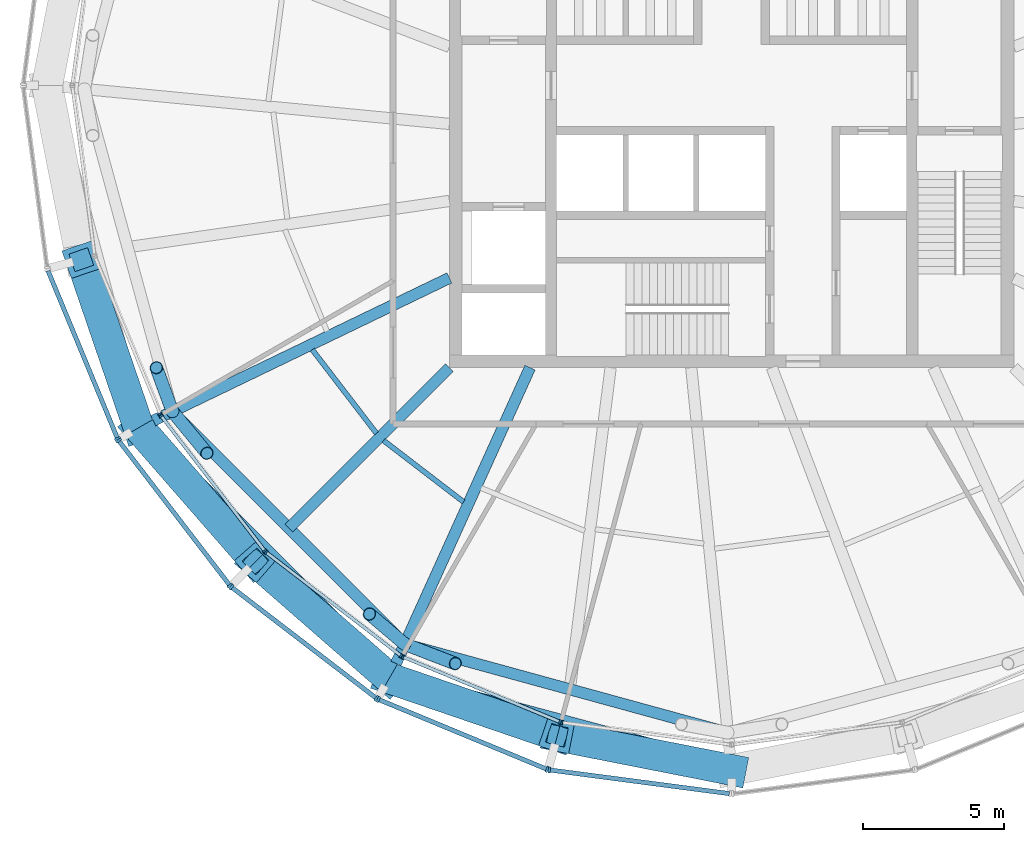
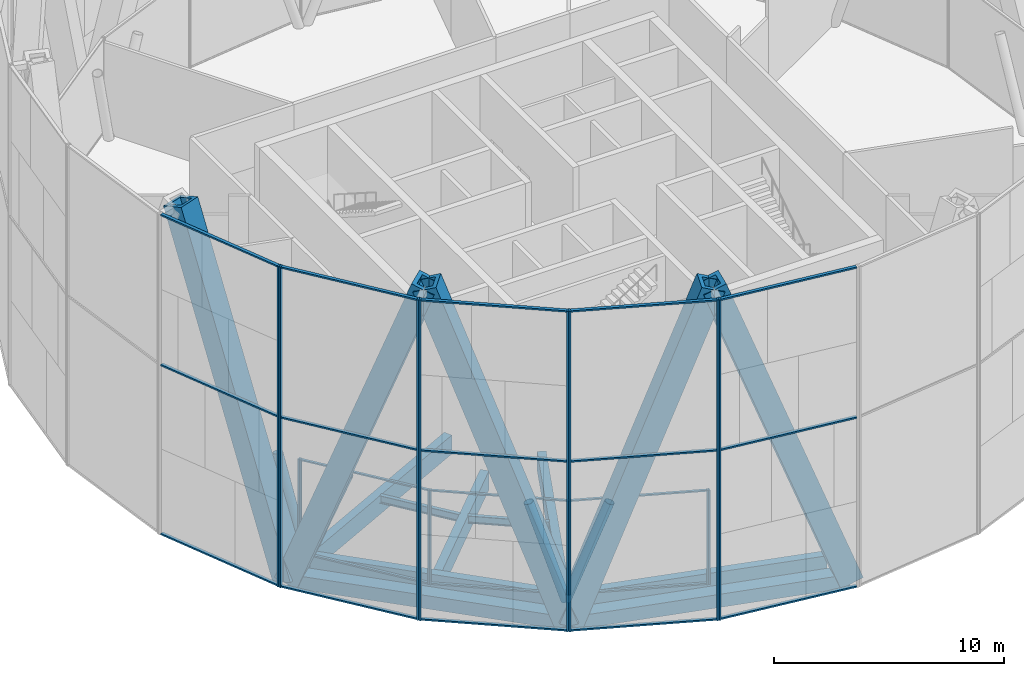
# One storey, part 1 of 15: 46 members, 9 beams, 10 elements without a shape of their own.
"""IFC4 building model written with IfcOpenShell, lengths in metres."""

import ifcopenshell
import ifcopenshell.guid

model = None  # the IFC model being written
_history = None  # IfcOwnerHistory: only IFC2X3 demands one
_inside = {}  # id of a spatial element -> (the spatial element, [elements in it])
_under = {}  # id of a project, library or spatial element -> (it, [spatial elements below it])
_declared = {}  # id of a project -> (the project, [libraries it declares])
_typed = {}  # id of a type object -> (the type object, [elements of that type])
_made_of = {}  # id of a material, layer set ... -> (it, [elements and type objects made of it])


def new_model(schema):
    """Start an empty IFC model of exactly this schema.

    Asked for "IFC4X3", IfcOpenShell would pick the latest addendum, in which some entities
    have other attributes; the version numbers below select the first issue.
    IFC2X3 requires an IfcOwnerHistory on every rooted entity: one is made here for all.
    """
    global model, _history
    if schema == "IFC4X3":
        model = ifcopenshell.file(schema_version=(4, 3, 0, 0))
    else:
        model = ifcopenshell.file(schema=schema)
    _inside.clear()
    _under.clear()
    _declared.clear()
    _typed.clear()
    _made_of.clear()
    _history = None
    if model.schema == "IFC2X3":
        org = make("IfcOrganization", Name="unknown")
        user = make(
            "IfcPersonAndOrganization",
            ThePerson=make("IfcPerson", FamilyName="unknown"),
            TheOrganization=org,
        )
        app = make(
            "IfcApplication",
            ApplicationDeveloper=org,
            Version="unknown",
            ApplicationFullName="unknown",
            ApplicationIdentifier="unknown",
        )
        _history = make(
            "IfcOwnerHistory",
            OwningUser=user,
            OwningApplication=app,
            ChangeAction="ADDED",
            CreationDate=0,
        )
    return model


def make(cls, **values):
    """One entity of the class cls with the attributes given. An attribute that is None is left unset."""
    return model.create_entity(
        cls, **{name: value for name, value in values.items() if value is not None}
    )


def rooted(cls, **values):
    """An entity with a GlobalId (a new one), such as an element, a storey or a relation."""
    return make(cls, GlobalId=ifcopenshell.guid.new(), OwnerHistory=_history, **values)


def si_unit(unit_type, name, prefix=None):
    """IfcSIUnit, for example si_unit("LENGTHUNIT", "METRE", prefix="MILLI")."""
    return make("IfcSIUnit", UnitType=unit_type, Prefix=prefix, Name=name)


def assignment(units):
    """IfcUnitAssignment: the units of a project."""
    return None if units is None else make("IfcUnitAssignment", Units=units)


def point(xyz):
    """IfcCartesianPoint."""
    return None if xyz is None else make("IfcCartesianPoint", Coordinates=xyz)


def direction(xyz):
    """IfcDirection."""
    return None if xyz is None else make("IfcDirection", DirectionRatios=xyz)


def frame(location, z_axis=None, x_axis=None):
    """IfcAxis2Placement3D, a coordinate frame: its origin and axes. An axis left out is left unset."""
    return make(
        "IfcAxis2Placement3D",
        Location=point(location),
        Axis=direction(z_axis),
        RefDirection=direction(x_axis),
    )


def frame_2d(location, x_axis=None):
    """IfcAxis2Placement2D, a coordinate frame in the plane: its origin and x axis."""
    return make(
        "IfcAxis2Placement2D", Location=point(location), RefDirection=direction(x_axis)
    )


def origin():
    """The frame at (0, 0, 0) with its axes left unset."""
    return frame((0.0, 0.0, 0.0))


def origin_2d():
    """The frame at (0, 0) in the plane with its x axis left unset."""
    return frame_2d((0.0, 0.0))


def place(relative_to, where):
    """IfcLocalPlacement: puts the frame where relative to a parent placement (None: the world)."""
    return make(
        "IfcLocalPlacement", PlacementRelTo=relative_to, RelativePlacement=where
    )


def context(
    kind, dimensions, precision=None, world=None, true_north=None, identifier=None
):
    """IfcGeometricRepresentationContext, for example the 3D "Model" context."""
    return make(
        "IfcGeometricRepresentationContext",
        ContextIdentifier=identifier,
        ContextType=kind,
        CoordinateSpaceDimension=dimensions,
        Precision=precision,
        WorldCoordinateSystem=world,
        TrueNorth=true_north,
    )


def subcontext(parent, identifier, kind, view, scale=None):
    """IfcGeometricRepresentationSubContext, for example "Body" below "Model"."""
    return make(
        "IfcGeometricRepresentationSubContext",
        ContextIdentifier=identifier,
        ContextType=kind,
        ParentContext=parent,
        TargetScale=scale,
        TargetView=view,
    )


def project(units=None, contexts=None):
    """IfcProject with its units and contexts."""
    return rooted(
        "IfcProject",
        Name="project",
        RepresentationContexts=contexts,
        UnitsInContext=assignment(units),
    )


def spatial(cls, under=None, at=None, **own):
    """A site, building, storey or space (cls), placed at a placement, below another one or the project."""
    s = rooted(cls, ObjectPlacement=at, **own)
    if under is not None:
        _under.setdefault(under.id(), (under, []))[1].append(s)
    return s


def profile(cls, at=None, kind="AREA", **sizes):
    """A parametric profile (cls). Its sizes go by their IFC names, for example OverallWidth=200.0."""
    return make(cls, ProfileType=kind, Position=at, **sizes)


def rectangle(**sizes):
    """IfcRectangleProfileDef."""
    return profile("IfcRectangleProfileDef", **sizes)


def hollow_rectangle(**sizes):
    """IfcRectangleHollowProfileDef."""
    return profile("IfcRectangleHollowProfileDef", **sizes)


def hollow_circle(**sizes):
    """IfcCircleHollowProfileDef."""
    return profile("IfcCircleHollowProfileDef", **sizes)


def i_section(**sizes):
    """IfcIShapeProfileDef."""
    return profile("IfcIShapeProfileDef", **sizes)


def extrude(swept, where, along, depth):
    """IfcExtrudedAreaSolid: the profile swept, set in the frame where, extruded along a direction by depth."""
    return make(
        "IfcExtrudedAreaSolid",
        SweptArea=swept,
        Position=where,
        ExtrudedDirection=direction(along),
        Depth=depth,
    )


def shape(context_of_items, identifier, shape_type, items):
    """IfcShapeRepresentation: the items that make up one representation, for example the "Body"."""
    return make(
        "IfcShapeRepresentation",
        ContextOfItems=context_of_items,
        RepresentationIdentifier=identifier,
        RepresentationType=shape_type,
        Items=items,
    )


def material(Name=None, Category=None):
    """IfcMaterial."""
    return make("IfcMaterial", Name=Name, Category=Category)


def material_profile(
    of_material, cross_section, Name=None, Category=None, Priority=None
):
    """IfcMaterialProfile: a cross section and its material."""
    return make(
        "IfcMaterialProfile",
        Name=Name,
        Material=of_material,
        Profile=cross_section,
        Priority=Priority,
        Category=Category,
    )


def profile_set(profiles, Name=None, composite=None):
    """IfcMaterialProfileSet."""
    return make(
        "IfcMaterialProfileSet",
        Name=Name,
        MaterialProfiles=profiles,
        CompositeProfile=composite,
    )


def made_of(thing, what):
    """Note that an element or type object is made of a material, layer set ...; save() writes the relation."""
    if what is not None:
        _made_of.setdefault(what.id(), (what, []))[1].append(thing)
    return thing


def type_object(cls, material=None, **own):
    """A type object (cls), such as IfcWallType, which elements share."""
    return made_of(rooted(cls, **own), material)


def element(
    cls,
    number,
    at=None,
    inside=None,
    cuts=None,
    type_object=None,
    material=None,
    context=None,
    identifier="Body",
    shape_type=None,
    held_by="IfcProductDefinitionShape",
    body=None,
    shapes=None,
    **own,
):
    """One element of the class cls, such as IfcWall. Its Tag is "e" and its number.

    at: its placement. inside: the storey or other place that contains it. cuts: it is an
    opening in that element (IfcRelVoidsElement). A single representation is given by context,
    identifier, shape_type and body (its items); several are given by shapes. held_by: the class
    of the entity that holds the representations. save() writes the other relations.
    """
    e = rooted(cls, Tag="e%d" % number, ObjectPlacement=at, **own)
    if body is not None:
        shapes = [shape(context, identifier, shape_type, body)]
    if shapes is not None:
        e.Representation = make(held_by, Representations=shapes)
    if inside is not None:
        _inside.setdefault(inside.id(), (inside, []))[1].append(e)
    if cuts is not None:
        rooted(
            "IfcRelVoidsElement", RelatingBuildingElement=cuts, RelatedOpeningElement=e
        )
    if type_object is not None:
        _typed.setdefault(type_object.id(), (type_object, []))[1].append(e)
    return made_of(e, material)


def aggregate(whole, parts):
    """IfcRelAggregates: a whole, such as a stair, and the parts it consists of."""
    return rooted("IfcRelAggregates", RelatingObject=whole, RelatedObjects=parts)


def save(model, path):
    """Write the relations noted so far, then the file.

    IfcRelAggregates (storeys below a building ...), IfcRelContainedInSpatialStructure (elements
    in a storey), IfcRelDefinesByType, IfcRelAssociatesMaterial and IfcRelDeclares: one each for
    every whole, place, type object, material and project.
    """
    for whole, parts in _under.values():
        aggregate(whole, parts)
    for where, things in _inside.values():
        rooted(
            "IfcRelContainedInSpatialStructure",
            RelatedElements=things,
            RelatingStructure=where,
        )
    for kind, things in _typed.values():
        rooted("IfcRelDefinesByType", RelatedObjects=things, RelatingType=kind)
    for what, things in _made_of.values():
        rooted("IfcRelAssociatesMaterial", RelatedObjects=things, RelatingMaterial=what)
    for by, libraries in _declared.values():
        rooted("IfcRelDeclares", RelatingContext=by, RelatedDefinitions=libraries)
    model.write(path)


model = new_model("IFC4")

# Units and contexts
model_context = context("Model", 3, precision=1e-05, world=origin(), true_north=direction((0.0, 1.0)))
body_context = subcontext(model_context, "Body", "Model", "MODEL_VIEW")
ifc_project = project(units=[si_unit("LENGTHUNIT", "METRE"), si_unit("AREAUNIT", "SQUARE_METRE"), si_unit("VOLUMEUNIT", "CUBIC_METRE"), si_unit("PLANEANGLEUNIT", "RADIAN"), si_unit("MASSUNIT", "GRAM", prefix="KILO")], contexts=[model_context])

# Site, building, storey
site_placement = place(None, origin())
site = spatial("IfcSite", under=ifc_project, at=site_placement, CompositionType="ELEMENT")
building_placement = place(site_placement, origin())
building = spatial("IfcBuilding", under=site, at=building_placement, Name="Golbaran Civic Tower", CompositionType="ELEMENT")
storey_placement = place(building_placement, frame((0.0, 0.0, 215.0)))
storey = spatial("IfcBuildingStorey", under=building, at=storey_placement, Name="L52", CompositionType="ELEMENT", Elevation=215.0)

# Members
ifc_material_1 = material(Name="Steel S355", Category="steel")
ifc_material_profile_1 = material_profile(ifc_material_1, hollow_circle(Radius=0.228515625, WallThickness=0.02001953125, at=origin_2d()), Name="CHS 457.0x20")
ifc_profile_set_1 = profile_set([ifc_material_profile_1], Name="Steel S355")
member_type_1 = type_object("IfcMemberType", Name="BELT TRUSS DIAGONAL CHS 457.0x20", PredefinedType="BRACE", material=ifc_profile_set_1)
member_1_placement = place(storey_placement, frame((-19.81298828125, -11.552734375, -0.60009765625), z_axis=(0.228116831888, -0.276885065679, 0.933433110305), x_axis=(0.77180186456, 0.635863099938, 0.0)))
element("IfcMember", 1, at=member_1_placement, inside=storey, type_object=member_type_1, Name="Belt truss diagonal 210.00R L52", PredefinedType="BRACE", context=body_context, shape_type="SweptSolid", body=[
    extrude(hollow_circle(Radius=0.228515625, WallThickness=0.02001953125, at=origin_2d()), origin(), (0.0, 0.0, 1.0), 5.356689453125),
])
member_2_placement = place(storey_placement, frame((-19.81298828125, -11.552734375, -0.60009765625), z_axis=(-0.108443912345, 0.294361008754, 0.949521729294), x_axis=(-0.938348163363, -0.345691660751, 0.0)))
element("IfcMember", 2, at=member_2_placement, inside=storey, type_object=member_type_1, Name="Belt truss diagonal 210.00L L52", PredefinedType="BRACE", context=body_context, shape_type="SweptSolid", body=[
    extrude(hollow_circle(Radius=0.228515625, WallThickness=0.02001953125, at=origin_2d()), origin(), (0.0, 0.0, 1.0), 5.265869140625),
])
member_3_placement = place(storey_placement, frame((-11.580322265625, -19.796875, -0.60009765625), z_axis=(0.334288189881, -0.128873955106, 0.933618182022), x_axis=(0.359712247931, 0.933063287612, 0.0)))
element("IfcMember", 3, at=member_3_placement, inside=storey, type_object=member_type_1, Name="Belt truss diagonal 240.00R L52", PredefinedType="BRACE", context=body_context, shape_type="SweptSolid", body=[
    extrude(hollow_circle(Radius=0.228515625, WallThickness=0.02001953125, at=origin_2d()), origin(), (0.0, 0.0, 1.0), 5.35546875),
])
member_4_placement = place(storey_placement, frame((-11.580322265625, -19.796875, -0.60009765625), z_axis=(-0.237997322439, 0.202374258001, 0.949948385024), x_axis=(-0.647790633231, -0.76181841373, 0.0)))
element("IfcMember", 4, at=member_4_placement, inside=storey, type_object=member_type_1, Name="Belt truss diagonal 240.00L L52", PredefinedType="BRACE", context=body_context, shape_type="SweptSolid", body=[
    extrude(hollow_circle(Radius=0.228515625, WallThickness=0.02001953125, at=origin_2d()), origin(), (0.0, 0.0, 1.0), 5.263427734375),
])
ifc_material_profile_2 = material_profile(ifc_material_1, hollow_rectangle(XDim=1.10009765625, YDim=1.10009765625, WallThickness=0.199951171875, at=origin_2d()), Name="BOX 1100x1100x200")
ifc_profile_set_2 = profile_set([ifc_material_profile_2], Name="Steel S355")
member_type_2 = type_object("IfcMemberType", Name="DIAGRID DIAGONAL BOX 1100x1100x200", PredefinedType="BRACE", material=ifc_profile_set_2)
for number, where, z_axis, x_axis, name in (
    (5, (-21.00634765625, -12.1279296875, -0.7099609375), (0.228299784139, -0.261485476318, 0.937819041306), (0.753290092564, 0.657688403763, 0.0), "Diagonal D12-07R L52-L56"),
    (6, (-21.00634765625, -12.1279296875, -0.7099609375), (-0.112311622101, 0.328449877464, 0.937820226661), (-0.94621056858, -0.323551479534, 0.0), "Diagonal D12-07L L52-L56"),
    (7, (-12.1279296875, -21.00634765625, -0.7099609375), (0.328449877464, -0.112311622101, 0.937820226661), (0.323551479534, 0.94621056858, 0.0), "Diagonal D12-08R L52-L56"),
    (8, (-12.1279296875, -21.00634765625, -0.7099609375), (-0.261485476318, 0.228299784139, 0.937819041306), (-0.657688403763, -0.753290092564, 0.0), "Diagonal D12-08L L52-L56"),
    (9, (0.0, -24.256103515625, -0.7099609375), (-0.340598547368, 0.066964133715, 0.937821109981), (-0.192914082197, -0.981215652591, 0.0), "Diagonal D12-09L L52-L56"),
):
    element("IfcMember", number, at=place(storey_placement, frame(where, z_axis=z_axis, x_axis=x_axis)), inside=storey, type_object=member_type_2, Name=name, PredefinedType="BRACE", context=body_context, shape_type="SweptSolid", body=[
        extrude(hollow_rectangle(XDim=1.10009765625, YDim=1.10009765625, WallThickness=0.199951171875, at=origin_2d()), origin(), (0.0, 0.0, 1.0), 18.127197265625),
    ])

# Beams
ifc_material_profile_3 = material_profile(ifc_material_1, hollow_rectangle(XDim=0.699951171875, YDim=0.699951171875, WallThickness=0.080078125, at=origin_2d()), Name="BOX 700x700x80")
ifc_profile_set_3 = profile_set([ifc_material_profile_3], Name="Steel S355")
beam_type_1 = type_object("IfcBeamType", Name="DIAGRID RING TIE BOX 700x700x80", PredefinedType="BEAM", material=ifc_profile_set_3)
beam_1_placement = place(storey_placement, frame((-21.00634765625, -12.1279296875, -0.7099609375), z_axis=(0.707106781187, -0.707106781187, 0.0), x_axis=(0.707106781187, 0.707106781187, 0.0)))
element("IfcBeam", 10, at=beam_1_placement, inside=storey, type_object=beam_type_1, Name="Ring tie 210.00 L52", PredefinedType="BEAM", context=body_context, shape_type="SweptSolid", body=[
    extrude(hollow_rectangle(XDim=0.699951171875, YDim=0.699951171875, WallThickness=0.080078125, at=origin_2d()), origin(), (0.0, 0.0, 1.0), 12.555908203125),
])
beam_2_placement = place(storey_placement, frame((-12.1279296875, -21.00634765625, -0.7099609375), z_axis=(0.965924096113, -0.258825502121, 0.0), x_axis=(0.258825502121, 0.965924096113, 0.0)))
element("IfcBeam", 11, at=beam_2_placement, inside=storey, type_object=beam_type_1, Name="Ring tie 240.00 L52", PredefinedType="BEAM", context=body_context, shape_type="SweptSolid", body=[
    extrude(hollow_rectangle(XDim=0.699951171875, YDim=0.699951171875, WallThickness=0.080078125, at=origin_2d()), origin(), (0.0, 0.0, 1.0), 12.5556640625),
])
ifc_material_profile_4 = material_profile(ifc_material_1, hollow_rectangle(XDim=0.39990234375, YDim=0.800048828125, WallThickness=0.0400390625, at=origin_2d()), Name="BOX 800x400x40")
ifc_profile_set_4 = profile_set([ifc_material_profile_4], Name="Steel S355")
beam_type_2 = type_object("IfcBeamType", Name="EDGE BEAM BOX 800x400x40", PredefinedType="BEAM", material=ifc_profile_set_4)
beam_3_placement = place(storey_placement, frame((-19.67822265625, -11.6875, -0.60009765625), z_axis=(0.706608276998, -0.707604934182, 0.0), x_axis=(0.707604934182, 0.706608276998, 0.0)))
element("IfcBeam", 12, at=beam_3_placement, inside=storey, type_object=beam_type_2, Name="Edge beam 210.00 L52", PredefinedType="BEAM", context=body_context, shape_type="SweptSolid", body=[
    extrude(hollow_rectangle(XDim=0.39990234375, YDim=0.800048828125, WallThickness=0.0400390625, at=origin_2d()), origin(), (0.0, 0.0, 1.0), 11.26806640625),
])
beam_4_placement = place(storey_placement, frame((-11.404541015625, -19.84521484375, -0.60009765625), z_axis=(0.964430254718, -0.264337443023, 0.0), x_axis=(0.264337443023, 0.964430254718, 0.0)))
element("IfcBeam", 13, at=beam_4_placement, inside=storey, type_object=beam_type_2, Name="Edge beam 240.00 L52", PredefinedType="BEAM", context=body_context, shape_type="SweptSolid", body=[
    extrude(hollow_rectangle(XDim=0.39990234375, YDim=0.800048828125, WallThickness=0.0400390625, at=origin_2d()), origin(), (0.0, 0.0, 1.0), 11.4951171875),
])
ifc_material_profile_5 = material_profile(ifc_material_1, i_section(OverallWidth=0.179931640625, OverallDepth=0.39990234375, WebThickness=0.008544921875, FlangeThickness=0.013427734375, FilletRadius=0.02099609375, at=origin_2d()), Name="IPE 400")
ifc_profile_set_5 = profile_set([ifc_material_profile_5], Name="Steel S355")
beam_type_3 = type_object("IfcBeamType", Name="FLOOR INFILL BEAM IPE 400", PredefinedType="BEAM", material=ifc_profile_set_5)
beam_5_placement = place(storey_placement, frame((-14.858642578125, -9.36376953125, -0.39990234375), z_axis=(0.608753770436, -0.793359216862, 0.0), x_axis=(0.793359216862, 0.608753770436, 0.0)))
element("IfcBeam", 14, at=beam_5_placement, inside=storey, type_object=beam_type_3, Name="Infill beam 217.50 L52", PredefinedType="BEAM", context=body_context, shape_type="SweptSolid", body=[
    extrude(i_section(OverallWidth=0.179931640625, OverallDepth=0.39990234375, WebThickness=0.008544921875, FlangeThickness=0.013427734375, FilletRadius=0.02099609375, at=origin_2d()), origin(), (0.0, 0.0, 1.0), 3.7373046875),
])
beam_6_placement = place(storey_placement, frame((-12.330322265625, -12.5849609375, -0.39990234375), z_axis=(0.79335768671, -0.608755764604, 0.0), x_axis=(0.608755764604, 0.79335768671, 0.0)))
element("IfcBeam", 15, at=beam_6_placement, inside=storey, type_object=beam_type_3, Name="Infill beam 232.50 L52", PredefinedType="BEAM", context=body_context, shape_type="SweptSolid", body=[
    extrude(i_section(OverallWidth=0.179931640625, OverallDepth=0.39990234375, WebThickness=0.008544921875, FlangeThickness=0.013427734375, FilletRadius=0.02099609375, at=origin_2d()), origin(), (0.0, 0.0, 1.0), 3.572021484375),
])

# Curtain wall, member
ifc_material_2 = material(Name="Aluminium and glass", Category="aluminium")
curtain_wall_type_1 = type_object("IfcCurtainWallType", Name="OUTER SKIN TERRACOTTA SCREEN", PredefinedType="NOTDEFINED", material=ifc_material_2)
curtain_wall_1_placement = place(storey_placement, origin())
curtain_wall_1 = element("IfcCurtainWall", 16, at=curtain_wall_1_placement, inside=storey, type_object=curtain_wall_type_1, Name="Outer skin L52 facet 14 CW3", ObjectType="OUTER SKIN", PredefinedType="USERDEFINED")
ifc_material_3 = material(Name="Aluminium", Category="aluminium")
ifc_material_profile_6 = material_profile(ifc_material_3, rectangle(XDim=0.219970703125, YDim=0.080078125, at=origin_2d()), Name="OUTER SKIN TERRACOTTA SCREEN MULLION")
ifc_profile_set_6 = profile_set([ifc_material_profile_6], Name="Aluminium")
member_type_3 = type_object("IfcMemberType", Name="OUTER SKIN TERRACOTTA SCREEN MULLION", PredefinedType="MULLION", material=ifc_profile_set_6)
member_5_placement = place(storey_placement, frame((-21.7578125, -12.51611328125, -0.7099609375), z_axis=(0.0, 0.0, 1.0), x_axis=(0.923879532485, 0.38268343243, 0.0)))
member_5 = element("IfcMember", 17, at=member_5_placement, type_object=member_type_3, Name="CW3 mullion 2", PredefinedType="MULLION", context=body_context, shape_type="SweptSolid", body=[
    extrude(rectangle(XDim=0.219970703125, YDim=0.080078125, at=origin_2d()), origin(), (0.0, 0.0, 1.0), 17.0),
])

# Curtain wall, members
curtain_wall_2_placement = place(storey_placement, origin())
curtain_wall_2 = element("IfcCurtainWall", 18, at=curtain_wall_2_placement, inside=storey, type_object=curtain_wall_type_1, Name="Outer skin L52 facet 15 CW3", ObjectType="OUTER SKIN", PredefinedType="USERDEFINED")
member_6_placement = place(storey_placement, frame((-21.718017578125, -12.584716796875, -0.7099609375), z_axis=(0.0, 0.0, 1.0), x_axis=(0.793353340259, 0.60876142905, 0.0)))
member_6 = element("IfcMember", 19, at=member_6_placement, type_object=member_type_3, Name="CW3 mullion 1", PredefinedType="MULLION", context=body_context, shape_type="SweptSolid", body=[
    extrude(rectangle(XDim=0.219970703125, YDim=0.080078125, at=origin_2d()), origin(), (0.0, 0.0, 1.0), 17.0),
])
member_7_placement = place(storey_placement, frame((-17.77685546875, -17.720947265625, -0.7099609375), z_axis=(0.0, 0.0, 1.0), x_axis=(0.793353340259, 0.60876142905, 0.0)))
member_7 = element("IfcMember", 20, at=member_7_placement, type_object=member_type_3, Name="CW3 mullion 2", PredefinedType="MULLION", context=body_context, shape_type="SweptSolid", body=[
    extrude(rectangle(XDim=0.219970703125, YDim=0.080078125, at=origin_2d()), origin(), (0.0, 0.0, 1.0), 17.0),
])

curtain_wall_3_placement = place(storey_placement, origin())
curtain_wall_3 = element("IfcCurtainWall", 21, at=curtain_wall_3_placement, inside=storey, type_object=curtain_wall_type_1, Name="Outer skin L52 facet 16 CW3", ObjectType="OUTER SKIN", PredefinedType="USERDEFINED")
member_8_placement = place(storey_placement, frame((-17.720947265625, -17.77685546875, -0.7099609375), z_axis=(0.0, 0.0, 1.0), x_axis=(0.60876142905, 0.793353340259, 0.0)))
member_8 = element("IfcMember", 22, at=member_8_placement, type_object=member_type_3, Name="CW3 mullion 1", PredefinedType="MULLION", context=body_context, shape_type="SweptSolid", body=[
    extrude(rectangle(XDim=0.219970703125, YDim=0.080078125, at=origin_2d()), origin(), (0.0, 0.0, 1.0), 17.0),
])
member_9_placement = place(storey_placement, frame((-12.584716796875, -21.718017578125, -0.7099609375), z_axis=(0.0, 0.0, 1.0), x_axis=(0.60876142905, 0.793353340259, 0.0)))
member_9 = element("IfcMember", 23, at=member_9_placement, type_object=member_type_3, Name="CW3 mullion 2", PredefinedType="MULLION", context=body_context, shape_type="SweptSolid", body=[
    extrude(rectangle(XDim=0.219970703125, YDim=0.080078125, at=origin_2d()), origin(), (0.0, 0.0, 1.0), 17.0),
])

curtain_wall_4_placement = place(storey_placement, origin())
curtain_wall_4 = element("IfcCurtainWall", 24, at=curtain_wall_4_placement, inside=storey, type_object=curtain_wall_type_1, Name="Outer skin L52 facet 17 CW3", ObjectType="OUTER SKIN", PredefinedType="USERDEFINED")
member_10_placement = place(storey_placement, frame((-12.51611328125, -21.7578125, -0.7099609375), z_axis=(0.0, 0.0, 1.0), x_axis=(0.38268343243, 0.923879532485, 0.0)))
member_10 = element("IfcMember", 25, at=member_10_placement, type_object=member_type_3, Name="CW3 mullion 1", PredefinedType="MULLION", context=body_context, shape_type="SweptSolid", body=[
    extrude(rectangle(XDim=0.219970703125, YDim=0.080078125, at=origin_2d()), origin(), (0.0, 0.0, 1.0), 17.0),
])
member_11_placement = place(storey_placement, frame((-6.534912109375, -24.235107421875, -0.7099609375), z_axis=(0.0, 0.0, 1.0), x_axis=(0.38268343243, 0.923879532485, 0.0)))
member_11 = element("IfcMember", 26, at=member_11_placement, type_object=member_type_3, Name="CW3 mullion 2", PredefinedType="MULLION", context=body_context, shape_type="SweptSolid", body=[
    extrude(rectangle(XDim=0.219970703125, YDim=0.080078125, at=origin_2d()), origin(), (0.0, 0.0, 1.0), 17.0),
])

# Curtain wall, member
curtain_wall_5_placement = place(storey_placement, origin())
curtain_wall_5 = element("IfcCurtainWall", 27, at=curtain_wall_5_placement, inside=storey, type_object=curtain_wall_type_1, Name="Outer skin L52 facet 18 CW3", ObjectType="OUTER SKIN", PredefinedType="USERDEFINED")
member_12_placement = place(storey_placement, frame((-6.458251953125, -24.255859375, -0.7099609375), z_axis=(0.0, 0.0, 1.0), x_axis=(0.130526192203, 0.991444861376, 0.0)))
member_12 = element("IfcMember", 28, at=member_12_placement, type_object=member_type_3, Name="CW3 mullion 1", PredefinedType="MULLION", context=body_context, shape_type="SweptSolid", body=[
    extrude(rectangle(XDim=0.219970703125, YDim=0.080078125, at=origin_2d()), origin(), (0.0, 0.0, 1.0), 17.0),
])

# Member
ifc_material_profile_7 = material_profile(ifc_material_3, rectangle(XDim=0.159912109375, YDim=0.080078125, at=origin_2d()), Name="OUTER SKIN TERRACOTTA SCREEN TRANSOM")
ifc_profile_set_7 = profile_set([ifc_material_profile_7], Name="Aluminium")
member_type_4 = type_object("IfcMemberType", Name="OUTER SKIN TERRACOTTA SCREEN TRANSOM", PredefinedType="USERDEFINED", material=ifc_profile_set_7)
member_13_placement = place(storey_placement, frame((-24.219970703125, -6.57177734375, -0.669921875), z_axis=(0.382705875896, -0.923870235777, 0.0), x_axis=(0.923870235777, 0.382705875896, 0.0)))
member_13 = element("IfcMember", 29, at=member_13_placement, type_object=member_type_4, Name="CW3 transom 1.1", ObjectType="TRANSOM", PredefinedType="USERDEFINED", context=body_context, shape_type="SweptSolid", body=[
    extrude(rectangle(XDim=0.159912109375, YDim=0.080078125, at=origin_2d()), origin(), (0.0, 0.0, 1.0), 6.39404296875),
])

member_14_placement = place(storey_placement, frame((-24.219970703125, -6.57177734375, 8.2900390625), z_axis=(0.382705875896, -0.923870235777, 0.0), x_axis=(0.923870235777, 0.382705875896, 0.0)))
member_14 = element("IfcMember", 30, at=member_14_placement, type_object=member_type_4, Name="CW3 transom 1.2", ObjectType="TRANSOM", PredefinedType="USERDEFINED", context=body_context, shape_type="SweptSolid", body=[
    extrude(rectangle(XDim=0.159912109375, YDim=0.080078125, at=origin_2d()), origin(), (0.0, 0.0, 1.0), 6.39404296875),
])

member_15_placement = place(storey_placement, frame((-24.219970703125, -6.57177734375, 16.25), z_axis=(0.382705875896, -0.923870235777, 0.0), x_axis=(0.923870235777, 0.382705875896, 0.0)))
member_15 = element("IfcMember", 31, at=member_15_placement, type_object=member_type_4, Name="CW3 transom 1.3", ObjectType="TRANSOM", PredefinedType="USERDEFINED", context=body_context, shape_type="SweptSolid", body=[
    extrude(rectangle(XDim=0.159912109375, YDim=0.080078125, at=origin_2d()), origin(), (0.0, 0.0, 1.0), 6.39404296875),
])

aggregate(curtain_wall_1, [member_5, member_13, member_14, member_15])

member_16_placement = place(storey_placement, frame((-21.69384765625, -12.616455078125, -0.669921875), z_axis=(0.608772960589, -0.793344491665, 0.0), x_axis=(0.793344491665, 0.608772960589, 0.0)))
member_16 = element("IfcMember", 32, at=member_16_placement, type_object=member_type_4, Name="CW3 transom 1.1", ObjectType="TRANSOM", PredefinedType="USERDEFINED", context=body_context, shape_type="SweptSolid", body=[
    extrude(rectangle(XDim=0.159912109375, YDim=0.080078125, at=origin_2d()), origin(), (0.0, 0.0, 1.0), 6.39404296875),
])

member_17_placement = place(storey_placement, frame((-21.69384765625, -12.616455078125, 8.2900390625), z_axis=(0.608772960589, -0.793344491665, 0.0), x_axis=(0.793344491665, 0.608772960589, 0.0)))
member_17 = element("IfcMember", 33, at=member_17_placement, type_object=member_type_4, Name="CW3 transom 1.2", ObjectType="TRANSOM", PredefinedType="USERDEFINED", context=body_context, shape_type="SweptSolid", body=[
    extrude(rectangle(XDim=0.159912109375, YDim=0.080078125, at=origin_2d()), origin(), (0.0, 0.0, 1.0), 6.39404296875),
])

member_18_placement = place(storey_placement, frame((-21.69384765625, -12.616455078125, 16.25), z_axis=(0.608772960589, -0.793344491665, 0.0), x_axis=(0.793344491665, 0.608772960589, 0.0)))
member_18 = element("IfcMember", 34, at=member_18_placement, type_object=member_type_4, Name="CW3 transom 1.3", ObjectType="TRANSOM", PredefinedType="USERDEFINED", context=body_context, shape_type="SweptSolid", body=[
    extrude(rectangle(XDim=0.159912109375, YDim=0.080078125, at=origin_2d()), origin(), (0.0, 0.0, 1.0), 6.39404296875),
])

aggregate(curtain_wall_2, [member_6, member_7, member_16, member_17, member_18])

member_19_placement = place(storey_placement, frame((-17.689208984375, -17.80126953125, -0.669921875), z_axis=(0.793344491665, -0.608772960589, 0.0), x_axis=(0.608772960589, 0.793344491665, 0.0)))
member_19 = element("IfcMember", 35, at=member_19_placement, type_object=member_type_4, Name="CW3 transom 1.1", ObjectType="TRANSOM", PredefinedType="USERDEFINED", context=body_context, shape_type="SweptSolid", body=[
    extrude(rectangle(XDim=0.159912109375, YDim=0.080078125, at=origin_2d()), origin(), (0.0, 0.0, 1.0), 6.39404296875),
])

member_20_placement = place(storey_placement, frame((-17.689208984375, -17.80126953125, 8.2900390625), z_axis=(0.793344491665, -0.608772960589, 0.0), x_axis=(0.608772960589, 0.793344491665, 0.0)))
member_20 = element("IfcMember", 36, at=member_20_placement, type_object=member_type_4, Name="CW3 transom 1.2", ObjectType="TRANSOM", PredefinedType="USERDEFINED", context=body_context, shape_type="SweptSolid", body=[
    extrude(rectangle(XDim=0.159912109375, YDim=0.080078125, at=origin_2d()), origin(), (0.0, 0.0, 1.0), 6.39404296875),
])

member_21_placement = place(storey_placement, frame((-17.689208984375, -17.80126953125, 16.25), z_axis=(0.793344491665, -0.608772960589, 0.0), x_axis=(0.608772960589, 0.793344491665, 0.0)))
member_21 = element("IfcMember", 37, at=member_21_placement, type_object=member_type_4, Name="CW3 transom 1.3", ObjectType="TRANSOM", PredefinedType="USERDEFINED", context=body_context, shape_type="SweptSolid", body=[
    extrude(rectangle(XDim=0.159912109375, YDim=0.080078125, at=origin_2d()), origin(), (0.0, 0.0, 1.0), 6.39404296875),
])

aggregate(curtain_wall_3, [member_8, member_9, member_19, member_20, member_21])

member_22_placement = place(storey_placement, frame((-12.47900390625, -21.77294921875, -0.669921875), z_axis=(0.923870235777, -0.382705875896, 0.0), x_axis=(0.382705875896, 0.923870235777, 0.0)))
member_22 = element("IfcMember", 38, at=member_22_placement, type_object=member_type_4, Name="CW3 transom 1.1", ObjectType="TRANSOM", PredefinedType="USERDEFINED", context=body_context, shape_type="SweptSolid", body=[
    extrude(rectangle(XDim=0.159912109375, YDim=0.080078125, at=origin_2d()), origin(), (0.0, 0.0, 1.0), 6.39404296875),
])

member_23_placement = place(storey_placement, frame((-12.47900390625, -21.77294921875, 8.2900390625), z_axis=(0.923870235777, -0.382705875896, 0.0), x_axis=(0.382705875896, 0.923870235777, 0.0)))
member_23 = element("IfcMember", 39, at=member_23_placement, type_object=member_type_4, Name="CW3 transom 1.2", ObjectType="TRANSOM", PredefinedType="USERDEFINED", context=body_context, shape_type="SweptSolid", body=[
    extrude(rectangle(XDim=0.159912109375, YDim=0.080078125, at=origin_2d()), origin(), (0.0, 0.0, 1.0), 6.39404296875),
])

member_24_placement = place(storey_placement, frame((-12.47900390625, -21.77294921875, 16.25), z_axis=(0.923870235777, -0.382705875896, 0.0), x_axis=(0.382705875896, 0.923870235777, 0.0)))
member_24 = element("IfcMember", 40, at=member_24_placement, type_object=member_type_4, Name="CW3 transom 1.3", ObjectType="TRANSOM", PredefinedType="USERDEFINED", context=body_context, shape_type="SweptSolid", body=[
    extrude(rectangle(XDim=0.159912109375, YDim=0.080078125, at=origin_2d()), origin(), (0.0, 0.0, 1.0), 6.39404296875),
])

aggregate(curtain_wall_4, [member_10, member_11, member_22, member_23, member_24])

member_25_placement = place(storey_placement, frame((-6.418701171875, -24.260986328125, -0.669921875), z_axis=(0.991447276218, -0.130507848345, 0.0), x_axis=(0.130507848345, 0.991447276218, 0.0)))
member_25 = element("IfcMember", 41, at=member_25_placement, type_object=member_type_4, Name="CW3 transom 1.1", ObjectType="TRANSOM", PredefinedType="USERDEFINED", context=body_context, shape_type="SweptSolid", body=[
    extrude(rectangle(XDim=0.159912109375, YDim=0.080078125, at=origin_2d()), origin(), (0.0, 0.0, 1.0), 6.39404296875),
])

member_26_placement = place(storey_placement, frame((-6.418701171875, -24.260986328125, 8.2900390625), z_axis=(0.991447276218, -0.130507848345, 0.0), x_axis=(0.130507848345, 0.991447276218, 0.0)))
member_26 = element("IfcMember", 42, at=member_26_placement, type_object=member_type_4, Name="CW3 transom 1.2", ObjectType="TRANSOM", PredefinedType="USERDEFINED", context=body_context, shape_type="SweptSolid", body=[
    extrude(rectangle(XDim=0.159912109375, YDim=0.080078125, at=origin_2d()), origin(), (0.0, 0.0, 1.0), 6.39404296875),
])

member_27_placement = place(storey_placement, frame((-6.418701171875, -24.260986328125, 16.25), z_axis=(0.991447276218, -0.130507848345, 0.0), x_axis=(0.130507848345, 0.991447276218, 0.0)))
member_27 = element("IfcMember", 43, at=member_27_placement, type_object=member_type_4, Name="CW3 transom 1.3", ObjectType="TRANSOM", PredefinedType="USERDEFINED", context=body_context, shape_type="SweptSolid", body=[
    extrude(rectangle(XDim=0.159912109375, YDim=0.080078125, at=origin_2d()), origin(), (0.0, 0.0, 1.0), 6.39404296875),
])

aggregate(curtain_wall_5, [member_12, member_25, member_26, member_27])

# Curtain wall, member
curtain_wall_type_2 = type_object("IfcCurtainWallType", Name="PLANT FLOOR LOUVRE WALL", PredefinedType="NOTDEFINED", material=ifc_material_2)
curtain_wall_6_placement = place(storey_placement, origin())
curtain_wall_6 = element("IfcCurtainWall", 44, at=curtain_wall_6_placement, inside=storey, type_object=curtain_wall_type_2, Name="Inner skin L52 facet 14 CW6", ObjectType="PLANT LOUVRE WALL", PredefinedType="USERDEFINED")
ifc_material_profile_8 = material_profile(ifc_material_3, rectangle(XDim=0.159912109375, YDim=0.070068359375, at=origin_2d()), Name="PLANT FLOOR LOUVRE WALL MULLION")
ifc_profile_set_8 = profile_set([ifc_material_profile_8], Name="Aluminium")
member_type_5 = type_object("IfcMemberType", Name="PLANT FLOOR LOUVRE WALL MULLION", PredefinedType="MULLION", material=ifc_profile_set_8)
member_28_placement = place(storey_placement, frame((-20.248046875, -11.650146484375, 0.0), z_axis=(0.0, 0.0, 1.0), x_axis=(0.923879532498, 0.382683432397, 0.0)))
member_28 = element("IfcMember", 45, at=member_28_placement, type_object=member_type_5, Name="CW6 mullion 2", PredefinedType="MULLION", context=body_context, shape_type="SweptSolid", body=[
    extrude(rectangle(XDim=0.159912109375, YDim=0.070068359375, at=origin_2d()), origin(), (0.0, 0.0, 1.0), 5.0),
])
aggregate(curtain_wall_6, [member_28])

# Curtain wall, members
curtain_wall_7_placement = place(storey_placement, origin())
curtain_wall_7 = element("IfcCurtainWall", 46, at=curtain_wall_7_placement, inside=storey, type_object=curtain_wall_type_2, Name="Inner skin L52 facet 15 CW6", ObjectType="PLANT LOUVRE WALL", PredefinedType="USERDEFINED")
member_29_placement = place(storey_placement, frame((-20.21337890625, -11.710205078125, 0.0), z_axis=(0.0, 0.0, 1.0), x_axis=(0.79335334027, 0.608761429036, 0.0)))
member_29 = element("IfcMember", 47, at=member_29_placement, type_object=member_type_5, Name="CW6 mullion 1", PredefinedType="MULLION", context=body_context, shape_type="SweptSolid", body=[
    extrude(rectangle(XDim=0.159912109375, YDim=0.070068359375, at=origin_2d()), origin(), (0.0, 0.0, 1.0), 5.0),
])
member_30_placement = place(storey_placement, frame((-16.54296875, -16.493896484375, 0.0), z_axis=(0.0, 0.0, 1.0), x_axis=(0.79335334027, 0.608761429036, 0.0)))
member_30 = element("IfcMember", 48, at=member_30_placement, type_object=member_type_5, Name="CW6 mullion 2", PredefinedType="MULLION", context=body_context, shape_type="SweptSolid", body=[
    extrude(rectangle(XDim=0.159912109375, YDim=0.070068359375, at=origin_2d()), origin(), (0.0, 0.0, 1.0), 5.0),
])

curtain_wall_8_placement = place(storey_placement, origin())
curtain_wall_8 = element("IfcCurtainWall", 49, at=curtain_wall_8_placement, inside=storey, type_object=curtain_wall_type_2, Name="Inner skin L52 facet 16 CW6", ObjectType="PLANT LOUVRE WALL", PredefinedType="USERDEFINED")
member_31_placement = place(storey_placement, frame((-16.493896484375, -16.54296875, 0.0), z_axis=(0.0, 0.0, 1.0), x_axis=(0.608761429036, 0.79335334027, 0.0)))
member_31 = element("IfcMember", 50, at=member_31_placement, type_object=member_type_5, Name="CW6 mullion 1", PredefinedType="MULLION", context=body_context, shape_type="SweptSolid", body=[
    extrude(rectangle(XDim=0.159912109375, YDim=0.070068359375, at=origin_2d()), origin(), (0.0, 0.0, 1.0), 5.0),
])
member_32_placement = place(storey_placement, frame((-11.710205078125, -20.21337890625, 0.0), z_axis=(0.0, 0.0, 1.0), x_axis=(0.608761429036, 0.79335334027, 0.0)))
member_32 = element("IfcMember", 51, at=member_32_placement, type_object=member_type_5, Name="CW6 mullion 2", PredefinedType="MULLION", context=body_context, shape_type="SweptSolid", body=[
    extrude(rectangle(XDim=0.159912109375, YDim=0.070068359375, at=origin_2d()), origin(), (0.0, 0.0, 1.0), 5.0),
])

curtain_wall_9_placement = place(storey_placement, origin())
curtain_wall_9 = element("IfcCurtainWall", 52, at=curtain_wall_9_placement, inside=storey, type_object=curtain_wall_type_2, Name="Inner skin L52 facet 17 CW6", ObjectType="PLANT LOUVRE WALL", PredefinedType="USERDEFINED")
member_33_placement = place(storey_placement, frame((-11.650146484375, -20.248046875, 0.0), z_axis=(0.0, 0.0, 1.0), x_axis=(0.382683432397, 0.923879532498, 0.0)))
member_33 = element("IfcMember", 53, at=member_33_placement, type_object=member_type_5, Name="CW6 mullion 1", PredefinedType="MULLION", context=body_context, shape_type="SweptSolid", body=[
    extrude(rectangle(XDim=0.159912109375, YDim=0.070068359375, at=origin_2d()), origin(), (0.0, 0.0, 1.0), 5.0),
])
member_34_placement = place(storey_placement, frame((-6.07958984375, -22.555419921875, 0.0), z_axis=(0.0, 0.0, 1.0), x_axis=(0.382683432397, 0.923879532498, 0.0)))
member_34 = element("IfcMember", 54, at=member_34_placement, type_object=member_type_5, Name="CW6 mullion 2", PredefinedType="MULLION", context=body_context, shape_type="SweptSolid", body=[
    extrude(rectangle(XDim=0.159912109375, YDim=0.070068359375, at=origin_2d()), origin(), (0.0, 0.0, 1.0), 5.0),
])

# Curtain wall, member
curtain_wall_10_placement = place(storey_placement, origin())
curtain_wall_10 = element("IfcCurtainWall", 55, at=curtain_wall_10_placement, inside=storey, type_object=curtain_wall_type_2, Name="Inner skin L52 facet 18 CW6", ObjectType="PLANT LOUVRE WALL", PredefinedType="USERDEFINED")
member_35_placement = place(storey_placement, frame((-6.0126953125, -22.573486328125, 0.0), z_axis=(0.0, 0.0, 1.0), x_axis=(0.130526192255, 0.991444861369, 0.0)))
member_35 = element("IfcMember", 56, at=member_35_placement, type_object=member_type_5, Name="CW6 mullion 1", PredefinedType="MULLION", context=body_context, shape_type="SweptSolid", body=[
    extrude(rectangle(XDim=0.159912109375, YDim=0.070068359375, at=origin_2d()), origin(), (0.0, 0.0, 1.0), 5.0),
])
aggregate(curtain_wall_10, [member_35])

# Member
ifc_material_profile_9 = material_profile(ifc_material_3, rectangle(XDim=0.1201171875, YDim=0.070068359375, at=origin_2d()), Name="PLANT FLOOR LOUVRE WALL TRANSOM")
ifc_profile_set_9 = profile_set([ifc_material_profile_9], Name="Aluminium")
member_type_6 = type_object("IfcMemberType", Name="PLANT FLOOR LOUVRE WALL TRANSOM", PredefinedType="USERDEFINED", material=ifc_profile_set_9)
member_36_placement = place(storey_placement, frame((-20.192138671875, -11.738037109375, 0.034912109375), z_axis=(0.608760025056, -0.79335441758, 0.0), x_axis=(0.79335441758, 0.608760025056, 0.0)))
member_36 = element("IfcMember", 57, at=member_36_placement, type_object=member_type_6, Name="CW6 transom 1.1", ObjectType="TRANSOM", PredefinedType="USERDEFINED", context=body_context, shape_type="SweptSolid", body=[
    extrude(rectangle(XDim=0.1201171875, YDim=0.070068359375, at=origin_2d()), origin(), (0.0, 0.0, 1.0), 5.95947265625),
])

member_37_placement = place(storey_placement, frame((-20.192138671875, -11.738037109375, 4.965087890625), z_axis=(0.608760025056, -0.79335441758, 0.0), x_axis=(0.79335441758, 0.608760025056, 0.0)))
member_37 = element("IfcMember", 58, at=member_37_placement, type_object=member_type_6, Name="CW6 transom 1.2", ObjectType="TRANSOM", PredefinedType="USERDEFINED", context=body_context, shape_type="SweptSolid", body=[
    extrude(rectangle(XDim=0.1201171875, YDim=0.070068359375, at=origin_2d()), origin(), (0.0, 0.0, 1.0), 5.95947265625),
])

aggregate(curtain_wall_7, [member_29, member_30, member_36, member_37])

member_38_placement = place(storey_placement, frame((-16.466064453125, -16.564208984375, 0.034912109375), z_axis=(0.79335441758, -0.608760025056, 0.0), x_axis=(0.608760025056, 0.79335441758, 0.0)))
member_38 = element("IfcMember", 59, at=member_38_placement, type_object=member_type_6, Name="CW6 transom 1.1", ObjectType="TRANSOM", PredefinedType="USERDEFINED", context=body_context, shape_type="SweptSolid", body=[
    extrude(rectangle(XDim=0.1201171875, YDim=0.070068359375, at=origin_2d()), origin(), (0.0, 0.0, 1.0), 5.95947265625),
])

member_39_placement = place(storey_placement, frame((-16.466064453125, -16.564208984375, 4.965087890625), z_axis=(0.79335441758, -0.608760025056, 0.0), x_axis=(0.608760025056, 0.79335441758, 0.0)))
member_39 = element("IfcMember", 60, at=member_39_placement, type_object=member_type_6, Name="CW6 transom 1.2", ObjectType="TRANSOM", PredefinedType="USERDEFINED", context=body_context, shape_type="SweptSolid", body=[
    extrude(rectangle(XDim=0.1201171875, YDim=0.070068359375, at=origin_2d()), origin(), (0.0, 0.0, 1.0), 5.95947265625),
])

aggregate(curtain_wall_8, [member_31, member_32, member_38, member_39])

member_40_placement = place(storey_placement, frame((-11.617919921875, -20.261474609375, 0.034912109375), z_axis=(0.923884518665, -0.382671394504, 0.0), x_axis=(0.382671394504, 0.923884518665, 0.0)))
member_40 = element("IfcMember", 61, at=member_40_placement, type_object=member_type_6, Name="CW6 transom 1.1", ObjectType="TRANSOM", PredefinedType="USERDEFINED", context=body_context, shape_type="SweptSolid", body=[
    extrude(rectangle(XDim=0.1201171875, YDim=0.070068359375, at=origin_2d()), origin(), (0.0, 0.0, 1.0), 5.95947265625),
])

member_41_placement = place(storey_placement, frame((-11.617919921875, -20.261474609375, 4.965087890625), z_axis=(0.923884518665, -0.382671394504, 0.0), x_axis=(0.382671394504, 0.923884518665, 0.0)))
member_41 = element("IfcMember", 62, at=member_41_placement, type_object=member_type_6, Name="CW6 transom 1.2", ObjectType="TRANSOM", PredefinedType="USERDEFINED", context=body_context, shape_type="SweptSolid", body=[
    extrude(rectangle(XDim=0.1201171875, YDim=0.070068359375, at=origin_2d()), origin(), (0.0, 0.0, 1.0), 5.95947265625),
])

aggregate(curtain_wall_9, [member_33, member_34, member_40, member_41])

# Beams
ifc_material_profile_10 = material_profile(ifc_material_1, hollow_rectangle(XDim=0.39990234375, YDim=1.0, WallThickness=0.0400390625, at=origin_2d()), Name="BOX 1000x400x40")
ifc_profile_set_10 = profile_set([ifc_material_profile_10], Name="Steel S355")
beam_type_4 = type_object("IfcBeamType", Name="RADIAL FLOOR BEAM BOX 1000x400x40", PredefinedType="BEAM", material=ifc_profile_set_10)
beam_7_placement = place(storey_placement, frame((-10.0, -6.821533203125, -0.7099609375), z_axis=(-0.90076912062, -0.43429827462, 0.0), x_axis=(0.43429827462, -0.90076912062, 0.0)))
element("IfcBeam", 63, at=beam_7_placement, inside=storey, type_object=beam_type_4, Name="Radial beam 210.00 L52", PredefinedType="BEAM", context=body_context, shape_type="SweptSolid", body=[
    extrude(hollow_rectangle(XDim=0.39990234375, YDim=1.0, WallThickness=0.0400390625, at=origin_2d()), origin(), (0.0, 0.0, 1.0), 11.648193359375),
])
beam_8_placement = place(storey_placement, frame((-7.142822265625, -10.0, -0.7099609375), z_axis=(-0.412594244352, -0.910914918929, 0.0), x_axis=(0.910914918929, -0.412594244352, 0.0)))
element("IfcBeam", 64, at=beam_8_placement, inside=storey, type_object=beam_type_4, Name="Radial beam 240.00 L52", PredefinedType="BEAM", context=body_context, shape_type="SweptSolid", body=[
    extrude(hollow_rectangle(XDim=0.39990234375, YDim=1.0, WallThickness=0.0400390625, at=origin_2d()), origin(), (0.0, 0.0, 1.0), 11.50830078125),
])
ifc_material_profile_11 = material_profile(ifc_material_1, hollow_rectangle(XDim=0.39990234375, YDim=1.0, WallThickness=0.0400390625, at=origin_2d()), Name="BOX 1000x400x40")
ifc_profile_set_11 = profile_set([ifc_material_profile_11], Name="Steel S355")
beam_type_5 = type_object("IfcBeamType", Name="SECONDARY FLOOR BEAM BOX 1000x400x40", PredefinedType="BEAM", material=ifc_profile_set_11)
beam_9_placement = place(storey_placement, frame((-10.0, -10.0, -0.7099609375), z_axis=(-0.707106781187, -0.707106781187, 0.0), x_axis=(0.707106781187, -0.707106781187, 0.0)))
element("IfcBeam", 65, at=beam_9_placement, inside=storey, type_object=beam_type_5, Name="Secondary beam 225.00 L52", PredefinedType="BEAM", context=body_context, shape_type="SweptSolid", body=[
    extrude(hollow_rectangle(XDim=0.39990234375, YDim=1.0, WallThickness=0.0400390625, at=origin_2d()), origin(), (0.0, 0.0, 1.0), 8.041015625),
])

save(model, "model.ifc")
